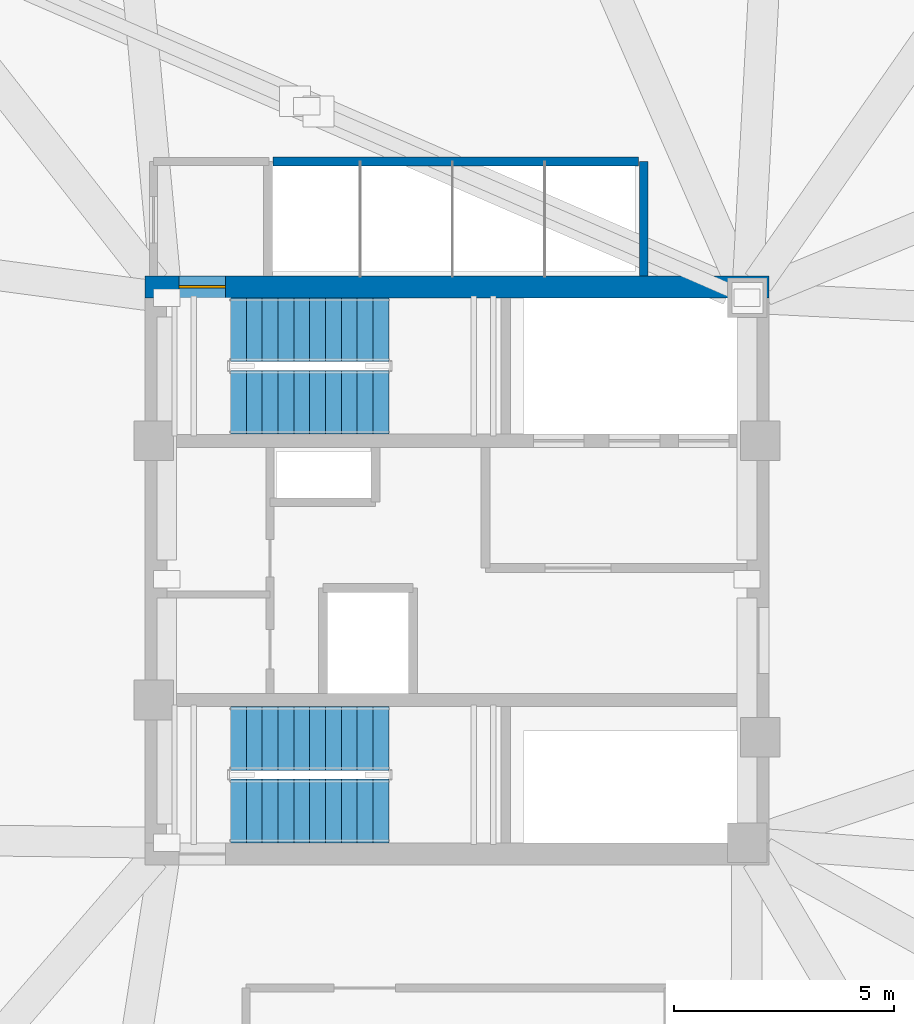
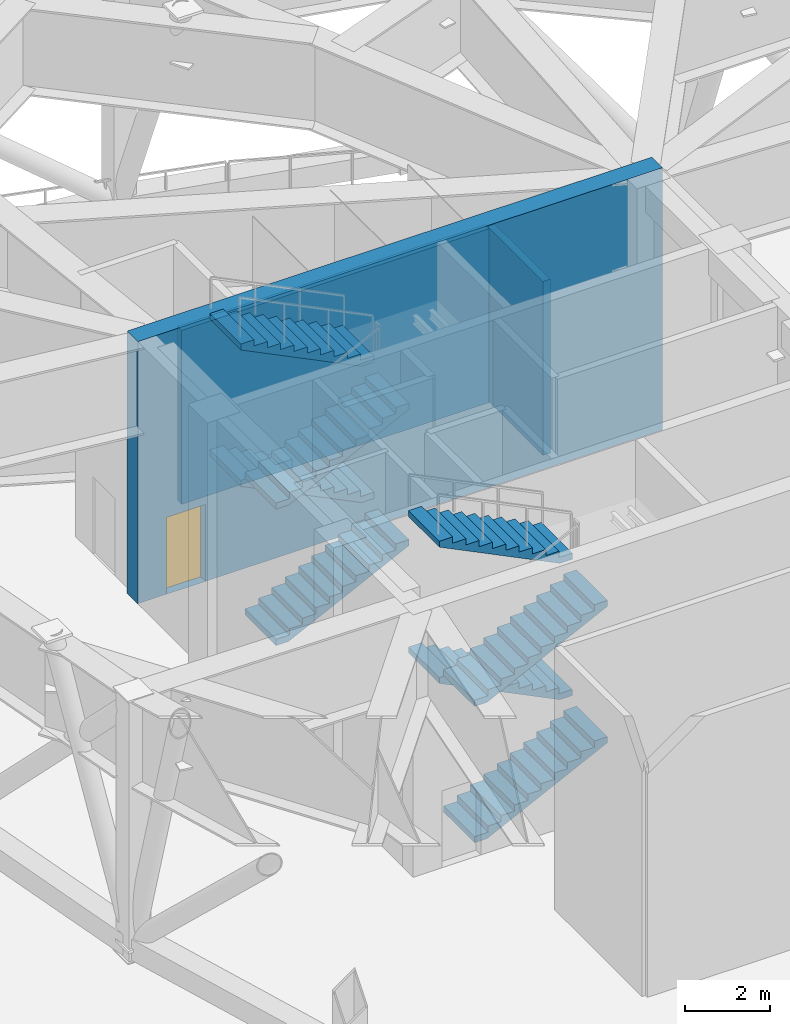
# One storey, part 5 of 8: 8 stair flights, 3 walls, 1 door, 1 opening, 2 elements without a shape of their own.
"""IFC4 building model written with IfcOpenShell, lengths in metres."""

from ifc_helpers import new_model, si_unit, direction, frame, frame_2d, origin, place, context, subcontext, project, spatial, polyline, rectangle, outline, extrude, material, layer, layer_set, type_object, element, fill, aggregate, save


model = new_model("IFC4")

# Units and contexts
model_context = context("Model", 3, precision=1e-05, world=origin(), true_north=direction((0.0, 1.0)))
body_context = subcontext(model_context, "Body", "Model", "MODEL_VIEW")
ifc_project = project(units=[si_unit("LENGTHUNIT", "METRE"), si_unit("AREAUNIT", "SQUARE_METRE"), si_unit("VOLUMEUNIT", "CUBIC_METRE"), si_unit("PLANEANGLEUNIT", "RADIAN"), si_unit("MASSUNIT", "GRAM", prefix="KILO")], contexts=[model_context])

# Site, building, storey
site_placement = place(None, origin())
site = spatial("IfcSite", under=ifc_project, at=site_placement, CompositionType="ELEMENT")
building_placement = place(site_placement, origin())
building = spatial("IfcBuilding", under=site, at=building_placement, Name="Tavelor Broadcast Tower", CompositionType="ELEMENT")
storey_placement = place(building_placement, frame((0.0, 0.0, 209.14990234375)))
storey = spatial("IfcBuildingStorey", under=building, at=storey_placement, Name="L50", CompositionType="ELEMENT", Elevation=209.14990234375)

# Wall, opening, door
ifc_material_1 = material(Name="Concrete C50/60", Category="concrete")
ifc_layer_1 = layer(ifc_material_1, 0.5)
ifc_layer_set_1 = layer_set([ifc_layer_1], Name="Concrete C50/60")
wall_type_1 = type_object("IfcWallType", Name="Core Shear Wall 500 mm", PredefinedType="SHEAR", material=ifc_layer_set_1)
wall_1_placement = place(storey_placement, frame((42.89990234375, 51.449951171875, 0.0), z_axis=(0.0, 0.0, 1.0), x_axis=(1.0, 0.0, 0.0)))
wall_1 = element("IfcWall", 1, at=wall_1_placement, inside=storey, type_object=wall_type_1, Name="L50 Central Core Shear Wall N", PredefinedType="SHEAR", context=body_context, shape_type="SweptSolid", body=[
    extrude(rectangle(XDim=14.2001953125, YDim=0.5, at=frame_2d((7.10009765625, 0.0))), origin(), (0.0, 0.0, 1.0), 7.5),
])
opening_placement = place(wall_1_placement, frame((0.780029296875, 0.0, 0.0)))
opening = element("IfcOpeningElement", 2, at=opening_placement, cuts=wall_1, Name="Opening DR11", PredefinedType="OPENING", context=body_context, shape_type="SweptSolid", body=[
    extrude(rectangle(XDim=1.050048828125, YDim=2.199951171875, at=frame_2d((0.52490234375, 1.10009765625))), frame((0.0, 0.260009765625, 0.0), z_axis=(0.0, -1.0, 0.0), x_axis=(1.0, 0.0, 0.0)), (0.0, 0.0, 1.0), 0.52001953125),
])
ifc_material_2 = material(Name="Steel S355", Category="steel")
door_type = type_object("IfcDoorType", Name="Stair Core Fire Escape Door 1050x2200", OperationType="NOTDEFINED", PredefinedType="DOOR", material=ifc_material_2)
door_placement = place(opening_placement, origin())
door = element("IfcDoor", 3, at=door_placement, inside=storey, type_object=door_type, Name="L50 Stair ST1 Protected Exit Door", OperationType="SINGLE_SWING_LEFT", OverallHeight=2.199951171875, OverallWidth=1.050048828125, PredefinedType="DOOR", context=body_context, shape_type="SweptSolid", body=[
    extrude(rectangle(XDim=1.050048828125, YDim=2.199951171875, at=frame_2d((0.52490234375, 1.10009765625))), frame((0.0, 0.02490234375, 0.0), z_axis=(0.0, -1.0, 0.0), x_axis=(1.0, 0.0, 0.0)), (0.0, 0.0, 1.0), 0.050048828125),
])
fill(opening, door)

# Walls
ifc_material_3 = material(Name="Concrete Blockwork 200 mm", Category="masonry")
ifc_layer_2 = layer(ifc_material_3, 0.199951171875)
ifc_layer_set_2 = layer_set([ifc_layer_2], Name="Concrete Blockwork 200 mm")
wall_type_2 = type_object("IfcWallType", Name="Lift Hoistway Rated Front Wall 200 mm", PredefinedType="PARTITIONING", material=ifc_layer_set_2)
wall_2_placement = place(storey_placement, frame((45.820068359375, 54.300048828125, 0.0), z_axis=(0.0, 0.0, 1.0), x_axis=(1.0, 0.0, 0.0)))
element("IfcWall", 4, at=wall_2_placement, inside=storey, type_object=wall_type_2, Name="L50 High-Rise Lift Hoistway Front Wall", PredefinedType="PARTITIONING", context=body_context, shape_type="SweptSolid", body=[
    extrude(rectangle(XDim=8.309814453125, YDim=0.199951171875, at=frame_2d((4.15478515625, 0.0))), origin(), (0.0, 0.0, 1.0), 4.97509765625),
])
ifc_layer_3 = layer(ifc_material_3, 0.199951171875)
ifc_layer_set_3 = layer_set([ifc_layer_3], Name="Concrete Blockwork 200 mm")
wall_type_3 = type_object("IfcWallType", Name="Lift and Riser Shaft Enclosure Wall 200 mm", PredefinedType="PARTITIONING", material=ifc_layer_set_3)
wall_3_placement = place(storey_placement, frame((54.25, 51.699951171875, 0.0), z_axis=(0.0, 0.0, 1.0), x_axis=(0.0, 1.0, 0.0)))
element("IfcWall", 5, at=wall_3_placement, inside=storey, type_object=wall_type_3, Name="L50 High-Rise Lift Shaft East Wall", PredefinedType="PARTITIONING", context=body_context, shape_type="SweptSolid", body=[
    extrude(rectangle(XDim=2.60009765625, YDim=0.199951171875, at=frame_2d((1.300048828125, 0.0))), origin(), (0.0, 0.0, 1.0), 4.97509765625),
])

# Stair, stair flights
ifc_material_4 = material(Name="Concrete C40/50", Category="concrete")
stair_type = type_object("IfcStairType", Name="Reinforced Concrete Protected Dogleg Stair 1450 mm", PredefinedType="HALF_TURN_STAIR", material=ifc_material_4)
stair_1_placement = place(storey_placement, origin())
stair_1 = element("IfcStair", 6, at=stair_1_placement, inside=storey, type_object=stair_type, Name="L50 Protected Core Exit Stair ST1", PredefinedType="HALF_TURN_STAIR")
stair_flight_type = type_object("IfcStairFlightType", Name="Reinforced Concrete Stair Flight 1450 mm", PredefinedType="STRAIGHT", material=ifc_material_4)
stair_flight_1_placement = place(storey_placement, frame((44.85009765625, 48.824951171875, 0.0), z_axis=(0.0, 0.0, 1.0), x_axis=(1.0, 0.0, 0.0)))
stair_flight_1 = element("IfcStairFlight", 7, at=stair_flight_1_placement, type_object=stair_flight_type, Name="ST1 flight 1", NumberOfRisers=11, NumberOfTreads=10, PredefinedType="STRAIGHT", RiserHeight=0.177272727, TreadLength=0.36, context=body_context, shape_type="SweptSolid", body=[
    extrude(outline(polyline([(0.0, 0.0), (0.0, 0.17724609375), (0.360107421875, 0.17724609375), (0.360107421875, 0.3544921875), (0.719970703125, 0.3544921875), (0.719970703125, 0.53173828125), (1.080078125, 0.53173828125), (1.080078125, 0.708984375), (1.43994140625, 0.708984375), (1.43994140625, 0.886474609375), (1.800048828125, 0.886474609375), (1.800048828125, 1.063720703125), (2.159912109375, 1.063720703125), (2.159912109375, 1.240966796875), (2.52001953125, 1.240966796875), (2.52001953125, 1.418212890625), (2.8798828125, 1.418212890625), (2.8798828125, 1.595458984375), (3.239990234375, 1.595458984375), (3.239990234375, 1.772705078125), (3.60009765625, 1.772705078125), (3.60009765625, 1.949951171875), (3.60009765625, 1.605712890625), (0.33935546875, 0.0), (0.0, 0.0)])), frame((0.0, 0.72509765625, 0.0), z_axis=(0.0, -1.0, 0.0), x_axis=(1.0, 0.0, 0.0)), (0.0, 0.0, 1.0), 1.449951171875),
])
stair_flight_2_placement = place(storey_placement, frame((48.449951171875, 50.47509765625, 1.9501953125), z_axis=(0.0, 0.0, 1.0), x_axis=(-1.0, 0.0, 0.0)))
stair_flight_2 = element("IfcStairFlight", 8, at=stair_flight_2_placement, type_object=stair_flight_type, Name="ST1 flight 2", NumberOfRisers=11, NumberOfTreads=10, PredefinedType="STRAIGHT", RiserHeight=0.177272727, TreadLength=0.36, context=body_context, shape_type="SweptSolid", body=[
    extrude(outline(polyline([(0.0, 0.0), (0.0, 0.17724609375), (0.360107421875, 0.17724609375), (0.360107421875, 0.3544921875), (0.719970703125, 0.3544921875), (0.719970703125, 0.53173828125), (1.080078125, 0.53173828125), (1.080078125, 0.708984375), (1.43994140625, 0.708984375), (1.43994140625, 0.886474609375), (1.800048828125, 0.886474609375), (1.800048828125, 1.063720703125), (2.159912109375, 1.063720703125), (2.159912109375, 1.240966796875), (2.52001953125, 1.240966796875), (2.52001953125, 1.418212890625), (2.8798828125, 1.418212890625), (2.8798828125, 1.595458984375), (3.239990234375, 1.595458984375), (3.239990234375, 1.772705078125), (3.60009765625, 1.772705078125), (3.60009765625, 1.949951171875), (3.60009765625, 1.605712890625), (0.33935546875, 0.0), (0.0, 0.0)])), frame((0.0, 0.72509765625, 0.0), z_axis=(0.0, -1.0, 0.0), x_axis=(1.0, 0.0, 0.0)), (0.0, 0.0, 1.0), 1.449951171875),
])
stair_flight_3_placement = place(storey_placement, frame((44.85009765625, 48.824951171875, 3.900146484375), z_axis=(0.0, 0.0, 1.0), x_axis=(1.0, 0.0, 0.0)))
stair_flight_3 = element("IfcStairFlight", 9, at=stair_flight_3_placement, type_object=stair_flight_type, Name="ST1 flight 3", NumberOfRisers=11, NumberOfTreads=10, PredefinedType="STRAIGHT", RiserHeight=0.177272727, TreadLength=0.36, context=body_context, shape_type="SweptSolid", body=[
    extrude(outline(polyline([(0.0, 0.0), (0.0, 0.17724609375), (0.360107421875, 0.17724609375), (0.360107421875, 0.3544921875), (0.719970703125, 0.3544921875), (0.719970703125, 0.53173828125), (1.080078125, 0.53173828125), (1.080078125, 0.708984375), (1.43994140625, 0.708984375), (1.43994140625, 0.886474609375), (1.800048828125, 0.886474609375), (1.800048828125, 1.063720703125), (2.159912109375, 1.063720703125), (2.159912109375, 1.240966796875), (2.52001953125, 1.240966796875), (2.52001953125, 1.418212890625), (2.8798828125, 1.418212890625), (2.8798828125, 1.595458984375), (3.239990234375, 1.595458984375), (3.239990234375, 1.772705078125), (3.60009765625, 1.772705078125), (3.60009765625, 1.949951171875), (3.60009765625, 1.605712890625), (0.33935546875, 0.0), (0.0, 0.0)])), frame((0.0, 0.72509765625, 0.0), z_axis=(0.0, -1.0, 0.0), x_axis=(1.0, 0.0, 0.0)), (0.0, 0.0, 1.0), 1.449951171875),
])
stair_flight_4_placement = place(storey_placement, frame((48.449951171875, 50.47509765625, 5.85009765625), z_axis=(0.0, 0.0, 1.0), x_axis=(-1.0, 0.0, 0.0)))
stair_flight_4 = element("IfcStairFlight", 10, at=stair_flight_4_placement, type_object=stair_flight_type, Name="ST1 flight 4", NumberOfRisers=11, NumberOfTreads=10, PredefinedType="STRAIGHT", RiserHeight=0.177272727, TreadLength=0.36, context=body_context, shape_type="SweptSolid", body=[
    extrude(outline(polyline([(0.0, 0.0), (0.0, 0.17724609375), (0.360107421875, 0.17724609375), (0.360107421875, 0.3544921875), (0.719970703125, 0.3544921875), (0.719970703125, 0.53173828125), (1.080078125, 0.53173828125), (1.080078125, 0.708984375), (1.43994140625, 0.708984375), (1.43994140625, 0.886474609375), (1.800048828125, 0.886474609375), (1.800048828125, 1.063720703125), (2.159912109375, 1.063720703125), (2.159912109375, 1.240966796875), (2.52001953125, 1.240966796875), (2.52001953125, 1.418212890625), (2.8798828125, 1.418212890625), (2.8798828125, 1.595458984375), (3.239990234375, 1.595458984375), (3.239990234375, 1.772705078125), (3.60009765625, 1.772705078125), (3.60009765625, 1.949951171875), (3.60009765625, 1.605712890625), (0.33935546875, 0.0), (0.0, 0.0)])), frame((0.0, 0.72509765625, 0.0), z_axis=(0.0, -1.0, 0.0), x_axis=(1.0, 0.0, 0.0)), (0.0, 0.0, 1.0), 1.449951171875),
])
aggregate(stair_1, [stair_flight_1, stair_flight_2, stair_flight_3, stair_flight_4])

stair_2_placement = place(storey_placement, origin())
stair_2 = element("IfcStair", 11, at=stair_2_placement, inside=storey, type_object=stair_type, Name="L50 Protected Core Exit Stair ST2", PredefinedType="HALF_TURN_STAIR")
stair_flight_5_placement = place(storey_placement, frame((44.85009765625, 39.52490234375, 0.0), z_axis=(0.0, 0.0, 1.0), x_axis=(1.0, 0.0, 0.0)))
stair_flight_5 = element("IfcStairFlight", 12, at=stair_flight_5_placement, type_object=stair_flight_type, Name="ST2 flight 1", NumberOfRisers=11, NumberOfTreads=10, PredefinedType="STRAIGHT", RiserHeight=0.177272727, TreadLength=0.36, context=body_context, shape_type="SweptSolid", body=[
    extrude(outline(polyline([(0.0, 0.0), (0.0, 0.17724609375), (0.360107421875, 0.17724609375), (0.360107421875, 0.3544921875), (0.719970703125, 0.3544921875), (0.719970703125, 0.53173828125), (1.080078125, 0.53173828125), (1.080078125, 0.708984375), (1.43994140625, 0.708984375), (1.43994140625, 0.886474609375), (1.800048828125, 0.886474609375), (1.800048828125, 1.063720703125), (2.159912109375, 1.063720703125), (2.159912109375, 1.240966796875), (2.52001953125, 1.240966796875), (2.52001953125, 1.418212890625), (2.8798828125, 1.418212890625), (2.8798828125, 1.595458984375), (3.239990234375, 1.595458984375), (3.239990234375, 1.772705078125), (3.60009765625, 1.772705078125), (3.60009765625, 1.949951171875), (3.60009765625, 1.605712890625), (0.33935546875, 0.0), (0.0, 0.0)])), frame((0.0, 0.72509765625, 0.0), z_axis=(0.0, -1.0, 0.0), x_axis=(1.0, 0.0, 0.0)), (0.0, 0.0, 1.0), 1.449951171875),
])
stair_flight_6_placement = place(storey_placement, frame((48.449951171875, 41.175048828125, 1.9501953125), z_axis=(0.0, 0.0, 1.0), x_axis=(-1.0, 0.0, 0.0)))
stair_flight_6 = element("IfcStairFlight", 13, at=stair_flight_6_placement, type_object=stair_flight_type, Name="ST2 flight 2", NumberOfRisers=11, NumberOfTreads=10, PredefinedType="STRAIGHT", RiserHeight=0.177272727, TreadLength=0.36, context=body_context, shape_type="SweptSolid", body=[
    extrude(outline(polyline([(0.0, 0.0), (0.0, 0.17724609375), (0.360107421875, 0.17724609375), (0.360107421875, 0.3544921875), (0.719970703125, 0.3544921875), (0.719970703125, 0.53173828125), (1.080078125, 0.53173828125), (1.080078125, 0.708984375), (1.43994140625, 0.708984375), (1.43994140625, 0.886474609375), (1.800048828125, 0.886474609375), (1.800048828125, 1.063720703125), (2.159912109375, 1.063720703125), (2.159912109375, 1.240966796875), (2.52001953125, 1.240966796875), (2.52001953125, 1.418212890625), (2.8798828125, 1.418212890625), (2.8798828125, 1.595458984375), (3.239990234375, 1.595458984375), (3.239990234375, 1.772705078125), (3.60009765625, 1.772705078125), (3.60009765625, 1.949951171875), (3.60009765625, 1.605712890625), (0.33935546875, 0.0), (0.0, 0.0)])), frame((0.0, 0.72509765625, 0.0), z_axis=(0.0, -1.0, 0.0), x_axis=(1.0, 0.0, 0.0)), (0.0, 0.0, 1.0), 1.449951171875),
])
stair_flight_7_placement = place(storey_placement, frame((44.85009765625, 39.52490234375, 3.900146484375), z_axis=(0.0, 0.0, 1.0), x_axis=(1.0, 0.0, 0.0)))
stair_flight_7 = element("IfcStairFlight", 14, at=stair_flight_7_placement, type_object=stair_flight_type, Name="ST2 flight 3", NumberOfRisers=11, NumberOfTreads=10, PredefinedType="STRAIGHT", RiserHeight=0.177272727, TreadLength=0.36, context=body_context, shape_type="SweptSolid", body=[
    extrude(outline(polyline([(0.0, 0.0), (0.0, 0.17724609375), (0.360107421875, 0.17724609375), (0.360107421875, 0.3544921875), (0.719970703125, 0.3544921875), (0.719970703125, 0.53173828125), (1.080078125, 0.53173828125), (1.080078125, 0.708984375), (1.43994140625, 0.708984375), (1.43994140625, 0.886474609375), (1.800048828125, 0.886474609375), (1.800048828125, 1.063720703125), (2.159912109375, 1.063720703125), (2.159912109375, 1.240966796875), (2.52001953125, 1.240966796875), (2.52001953125, 1.418212890625), (2.8798828125, 1.418212890625), (2.8798828125, 1.595458984375), (3.239990234375, 1.595458984375), (3.239990234375, 1.772705078125), (3.60009765625, 1.772705078125), (3.60009765625, 1.949951171875), (3.60009765625, 1.605712890625), (0.33935546875, 0.0), (0.0, 0.0)])), frame((0.0, 0.72509765625, 0.0), z_axis=(0.0, -1.0, 0.0), x_axis=(1.0, 0.0, 0.0)), (0.0, 0.0, 1.0), 1.449951171875),
])
stair_flight_8_placement = place(storey_placement, frame((48.449951171875, 41.175048828125, 5.85009765625), z_axis=(0.0, 0.0, 1.0), x_axis=(-1.0, 0.0, 0.0)))
stair_flight_8 = element("IfcStairFlight", 15, at=stair_flight_8_placement, type_object=stair_flight_type, Name="ST2 flight 4", NumberOfRisers=11, NumberOfTreads=10, PredefinedType="STRAIGHT", RiserHeight=0.177272727, TreadLength=0.36, context=body_context, shape_type="SweptSolid", body=[
    extrude(outline(polyline([(0.0, 0.0), (0.0, 0.17724609375), (0.360107421875, 0.17724609375), (0.360107421875, 0.3544921875), (0.719970703125, 0.3544921875), (0.719970703125, 0.53173828125), (1.080078125, 0.53173828125), (1.080078125, 0.708984375), (1.43994140625, 0.708984375), (1.43994140625, 0.886474609375), (1.800048828125, 0.886474609375), (1.800048828125, 1.063720703125), (2.159912109375, 1.063720703125), (2.159912109375, 1.240966796875), (2.52001953125, 1.240966796875), (2.52001953125, 1.418212890625), (2.8798828125, 1.418212890625), (2.8798828125, 1.595458984375), (3.239990234375, 1.595458984375), (3.239990234375, 1.772705078125), (3.60009765625, 1.772705078125), (3.60009765625, 1.949951171875), (3.60009765625, 1.605712890625), (0.33935546875, 0.0), (0.0, 0.0)])), frame((0.0, 0.72509765625, 0.0), z_axis=(0.0, -1.0, 0.0), x_axis=(1.0, 0.0, 0.0)), (0.0, 0.0, 1.0), 1.449951171875),
])
aggregate(stair_2, [stair_flight_5, stair_flight_6, stair_flight_7, stair_flight_8])

save(model, "model.ifc")
